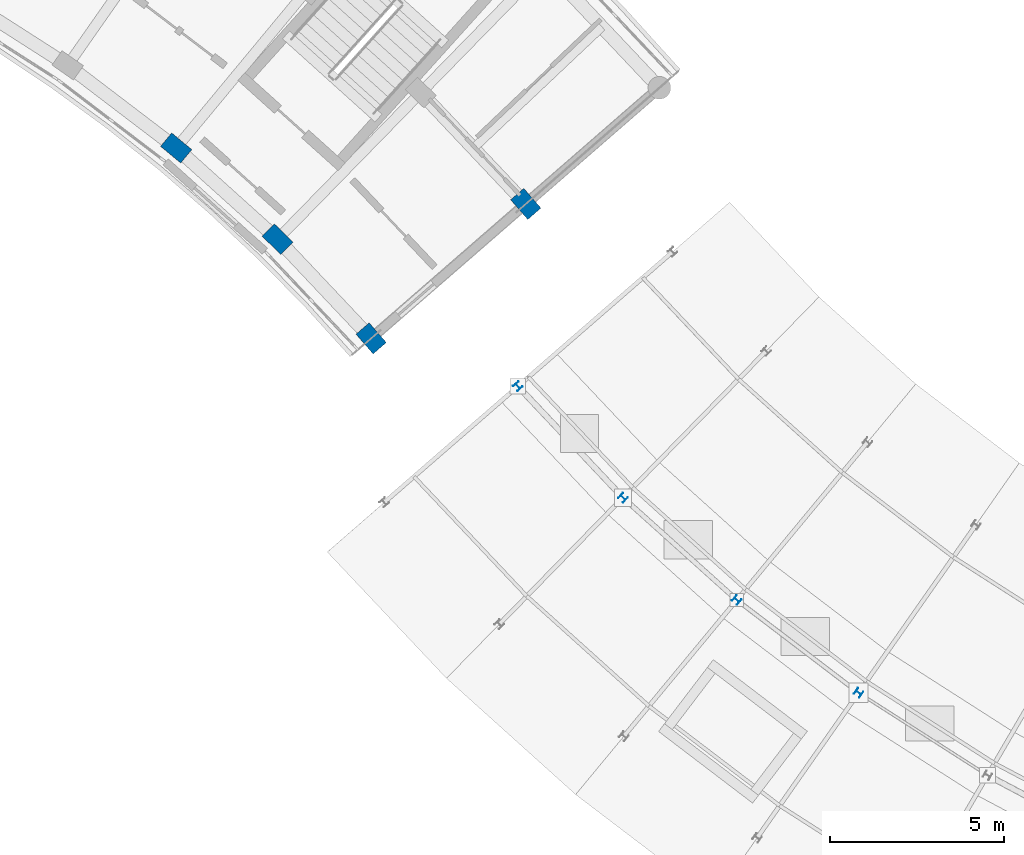
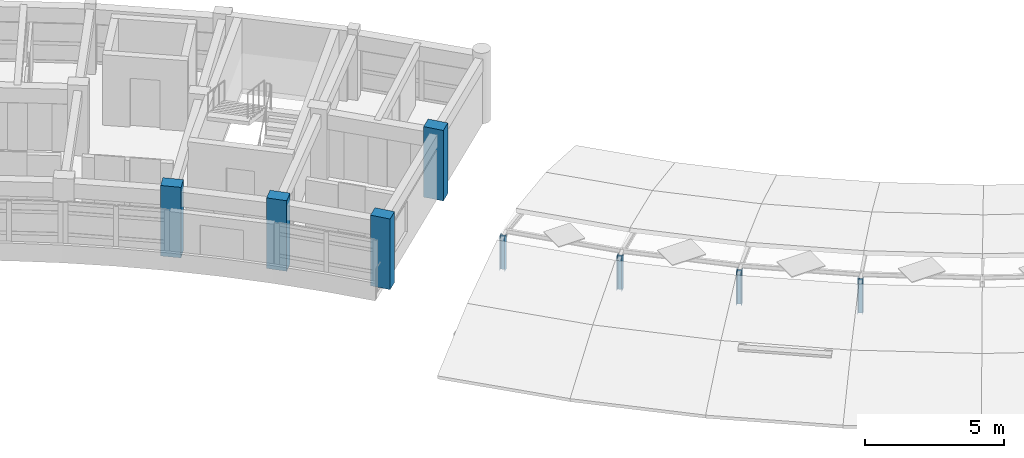
# One storey, part 2 of 40: 8 columns.
"""IFC4 building model written with IfcOpenShell, lengths in metres."""

import ifcopenshell
import ifcopenshell.guid

model = None  # the IFC model being written
_history = None  # IfcOwnerHistory: only IFC2X3 demands one
_inside = {}  # id of a spatial element -> (the spatial element, [elements in it])
_under = {}  # id of a project, library or spatial element -> (it, [spatial elements below it])
_declared = {}  # id of a project -> (the project, [libraries it declares])
_typed = {}  # id of a type object -> (the type object, [elements of that type])
_made_of = {}  # id of a material, layer set ... -> (it, [elements and type objects made of it])


def new_model(schema):
    """Start an empty IFC model of exactly this schema.

    Asked for "IFC4X3", IfcOpenShell would pick the latest addendum, in which some entities
    have other attributes; the version numbers below select the first issue.
    IFC2X3 requires an IfcOwnerHistory on every rooted entity: one is made here for all.
    """
    global model, _history
    if schema == "IFC4X3":
        model = ifcopenshell.file(schema_version=(4, 3, 0, 0))
    else:
        model = ifcopenshell.file(schema=schema)
    _inside.clear()
    _under.clear()
    _declared.clear()
    _typed.clear()
    _made_of.clear()
    _history = None
    if model.schema == "IFC2X3":
        org = make("IfcOrganization", Name="unknown")
        user = make(
            "IfcPersonAndOrganization",
            ThePerson=make("IfcPerson", FamilyName="unknown"),
            TheOrganization=org,
        )
        app = make(
            "IfcApplication",
            ApplicationDeveloper=org,
            Version="unknown",
            ApplicationFullName="unknown",
            ApplicationIdentifier="unknown",
        )
        _history = make(
            "IfcOwnerHistory",
            OwningUser=user,
            OwningApplication=app,
            ChangeAction="ADDED",
            CreationDate=0,
        )
    return model


def make(cls, **values):
    """One entity of the class cls with the attributes given. An attribute that is None is left unset."""
    return model.create_entity(
        cls, **{name: value for name, value in values.items() if value is not None}
    )


def rooted(cls, **values):
    """An entity with a GlobalId (a new one), such as an element, a storey or a relation."""
    return make(cls, GlobalId=ifcopenshell.guid.new(), OwnerHistory=_history, **values)


def si_unit(unit_type, name, prefix=None):
    """IfcSIUnit, for example si_unit("LENGTHUNIT", "METRE", prefix="MILLI")."""
    return make("IfcSIUnit", UnitType=unit_type, Prefix=prefix, Name=name)


def assignment(units):
    """IfcUnitAssignment: the units of a project."""
    return None if units is None else make("IfcUnitAssignment", Units=units)


def point(xyz):
    """IfcCartesianPoint."""
    return None if xyz is None else make("IfcCartesianPoint", Coordinates=xyz)


def direction(xyz):
    """IfcDirection."""
    return None if xyz is None else make("IfcDirection", DirectionRatios=xyz)


def frame(location, z_axis=None, x_axis=None):
    """IfcAxis2Placement3D, a coordinate frame: its origin and axes. An axis left out is left unset."""
    return make(
        "IfcAxis2Placement3D",
        Location=point(location),
        Axis=direction(z_axis),
        RefDirection=direction(x_axis),
    )


def frame_2d(location, x_axis=None):
    """IfcAxis2Placement2D, a coordinate frame in the plane: its origin and x axis."""
    return make(
        "IfcAxis2Placement2D", Location=point(location), RefDirection=direction(x_axis)
    )


def origin():
    """The frame at (0, 0, 0) with its axes left unset."""
    return frame((0.0, 0.0, 0.0))


def origin_2d():
    """The frame at (0, 0) in the plane with its x axis left unset."""
    return frame_2d((0.0, 0.0))


def place(relative_to, where):
    """IfcLocalPlacement: puts the frame where relative to a parent placement (None: the world)."""
    return make(
        "IfcLocalPlacement", PlacementRelTo=relative_to, RelativePlacement=where
    )


def context(
    kind, dimensions, precision=None, world=None, true_north=None, identifier=None
):
    """IfcGeometricRepresentationContext, for example the 3D "Model" context."""
    return make(
        "IfcGeometricRepresentationContext",
        ContextIdentifier=identifier,
        ContextType=kind,
        CoordinateSpaceDimension=dimensions,
        Precision=precision,
        WorldCoordinateSystem=world,
        TrueNorth=true_north,
    )


def subcontext(parent, identifier, kind, view, scale=None):
    """IfcGeometricRepresentationSubContext, for example "Body" below "Model"."""
    return make(
        "IfcGeometricRepresentationSubContext",
        ContextIdentifier=identifier,
        ContextType=kind,
        ParentContext=parent,
        TargetScale=scale,
        TargetView=view,
    )


def project(units=None, contexts=None):
    """IfcProject with its units and contexts."""
    return rooted(
        "IfcProject",
        Name="project",
        RepresentationContexts=contexts,
        UnitsInContext=assignment(units),
    )


def spatial(cls, under=None, at=None, **own):
    """A site, building, storey or space (cls), placed at a placement, below another one or the project."""
    s = rooted(cls, ObjectPlacement=at, **own)
    if under is not None:
        _under.setdefault(under.id(), (under, []))[1].append(s)
    return s


def profile(cls, at=None, kind="AREA", **sizes):
    """A parametric profile (cls). Its sizes go by their IFC names, for example OverallWidth=200.0."""
    return make(cls, ProfileType=kind, Position=at, **sizes)


def rectangle(**sizes):
    """IfcRectangleProfileDef."""
    return profile("IfcRectangleProfileDef", **sizes)


def i_section(**sizes):
    """IfcIShapeProfileDef."""
    return profile("IfcIShapeProfileDef", **sizes)


def extrude(swept, where, along, depth):
    """IfcExtrudedAreaSolid: the profile swept, set in the frame where, extruded along a direction by depth."""
    return make(
        "IfcExtrudedAreaSolid",
        SweptArea=swept,
        Position=where,
        ExtrudedDirection=direction(along),
        Depth=depth,
    )


def shape(context_of_items, identifier, shape_type, items):
    """IfcShapeRepresentation: the items that make up one representation, for example the "Body"."""
    return make(
        "IfcShapeRepresentation",
        ContextOfItems=context_of_items,
        RepresentationIdentifier=identifier,
        RepresentationType=shape_type,
        Items=items,
    )


def material(Name=None, Category=None):
    """IfcMaterial."""
    return make("IfcMaterial", Name=Name, Category=Category)


def material_profile(
    of_material, cross_section, Name=None, Category=None, Priority=None
):
    """IfcMaterialProfile: a cross section and its material."""
    return make(
        "IfcMaterialProfile",
        Name=Name,
        Material=of_material,
        Profile=cross_section,
        Priority=Priority,
        Category=Category,
    )


def profile_set(profiles, Name=None, composite=None):
    """IfcMaterialProfileSet."""
    return make(
        "IfcMaterialProfileSet",
        Name=Name,
        MaterialProfiles=profiles,
        CompositeProfile=composite,
    )


def made_of(thing, what):
    """Note that an element or type object is made of a material, layer set ...; save() writes the relation."""
    if what is not None:
        _made_of.setdefault(what.id(), (what, []))[1].append(thing)
    return thing


def type_object(cls, material=None, **own):
    """A type object (cls), such as IfcWallType, which elements share."""
    return made_of(rooted(cls, **own), material)


def element(
    cls,
    number,
    at=None,
    inside=None,
    cuts=None,
    type_object=None,
    material=None,
    context=None,
    identifier="Body",
    shape_type=None,
    held_by="IfcProductDefinitionShape",
    body=None,
    shapes=None,
    **own,
):
    """One element of the class cls, such as IfcWall. Its Tag is "e" and its number.

    at: its placement. inside: the storey or other place that contains it. cuts: it is an
    opening in that element (IfcRelVoidsElement). A single representation is given by context,
    identifier, shape_type and body (its items); several are given by shapes. held_by: the class
    of the entity that holds the representations. save() writes the other relations.
    """
    e = rooted(cls, Tag="e%d" % number, ObjectPlacement=at, **own)
    if body is not None:
        shapes = [shape(context, identifier, shape_type, body)]
    if shapes is not None:
        e.Representation = make(held_by, Representations=shapes)
    if inside is not None:
        _inside.setdefault(inside.id(), (inside, []))[1].append(e)
    if cuts is not None:
        rooted(
            "IfcRelVoidsElement", RelatingBuildingElement=cuts, RelatedOpeningElement=e
        )
    if type_object is not None:
        _typed.setdefault(type_object.id(), (type_object, []))[1].append(e)
    return made_of(e, material)


def aggregate(whole, parts):
    """IfcRelAggregates: a whole, such as a stair, and the parts it consists of."""
    return rooted("IfcRelAggregates", RelatingObject=whole, RelatedObjects=parts)


def save(model, path):
    """Write the relations noted so far, then the file.

    IfcRelAggregates (storeys below a building ...), IfcRelContainedInSpatialStructure (elements
    in a storey), IfcRelDefinesByType, IfcRelAssociatesMaterial and IfcRelDeclares: one each for
    every whole, place, type object, material and project.
    """
    for whole, parts in _under.values():
        aggregate(whole, parts)
    for where, things in _inside.values():
        rooted(
            "IfcRelContainedInSpatialStructure",
            RelatedElements=things,
            RelatingStructure=where,
        )
    for kind, things in _typed.values():
        rooted("IfcRelDefinesByType", RelatedObjects=things, RelatingType=kind)
    for what, things in _made_of.values():
        rooted("IfcRelAssociatesMaterial", RelatedObjects=things, RelatingMaterial=what)
    for by, libraries in _declared.values():
        rooted("IfcRelDeclares", RelatingContext=by, RelatedDefinitions=libraries)
    model.write(path)


model = new_model("IFC4")

# Units and contexts
model_context = context("Model", 3, precision=1e-05, world=origin(), true_north=direction((0.0, 1.0)))
body_context = subcontext(model_context, "Body", "Model", "MODEL_VIEW")
ifc_project = project(units=[si_unit("LENGTHUNIT", "METRE"), si_unit("AREAUNIT", "SQUARE_METRE"), si_unit("VOLUMEUNIT", "CUBIC_METRE"), si_unit("PLANEANGLEUNIT", "RADIAN"), si_unit("MASSUNIT", "GRAM", prefix="KILO")], contexts=[model_context])

# Site, building, storey
site_placement = place(None, origin())
site = spatial("IfcSite", under=ifc_project, at=site_placement, CompositionType="ELEMENT")
building_placement = place(site_placement, origin())
building = spatial("IfcBuilding", under=site, at=building_placement, Name="Zimvara Arc Housing Community", CompositionType="ELEMENT")
storey_placement = place(building_placement, frame((0.0, 0.0, 32.89990234375)))
storey = spatial("IfcBuildingStorey", under=building, at=storey_placement, Name="L10", CompositionType="ELEMENT", Elevation=32.89990234375)

# Columns
ifc_material_1 = material(Name="Concrete C40/50", Category="concrete")
ifc_material_profile_1 = material_profile(ifc_material_1, rectangle(XDim=0.5, YDim=0.75, at=origin_2d()), Name="RC 500x750")
ifc_profile_set_1 = profile_set([ifc_material_profile_1], Name="Concrete C40/50")
column_type_1 = type_object("IfcColumnType", Name="COL-RC-500x750", PredefinedType="COLUMN", material=ifc_profile_set_1)
for number, where, z_axis, x_axis, name in (
    (1, (75.571044921875, 81.401611328125, 0.0), (0.0, 0.0, 1.0), (0.637961754089, 0.770068049148, 0.0), "col:blkB:L10:b8:r1"),
    (2, (78.47998046875, 78.784423828125, 0.0), (0.0, 0.0, 1.0), (0.698665066769, 0.715448897181, 0.0), "col:blkB:L10:b9:r1"),
    (3, (81.165771484375, 75.938232421875, 0.0), (0.0, 0.0, 1.0), (0.754709580223, 0.656059028991, 0.0), "col:blkB:L10:b10:r1"),
    (4, (85.603271484375, 79.7958984375, 0.0), (0.0, 0.0, 1.0), (0.754709580223, 0.656059028991, 0.0), "col:blkB:L10:b10:r2"),
):
    element("IfcColumn", number, at=place(storey_placement, frame(where, z_axis=z_axis, x_axis=x_axis)), inside=storey, type_object=column_type_1, Name=name, PredefinedType="COLUMN", context=body_context, shape_type="SweptSolid", body=[
        extrude(rectangle(XDim=0.5, YDim=0.75, at=origin_2d()), origin(), (0.0, 0.0, 1.0), 3.10009765625),
    ])
ifc_material_2 = material(Name="Steel S355", Category="steel")
ifc_material_profile_2 = material_profile(ifc_material_2, i_section(OverallWidth=0.199951171875, OverallDepth=0.199951171875, WebThickness=0.009033203125, FlangeThickness=0.014892578125, FilletRadius=0.01806640625, at=origin_2d()), Name="HEB 200")
ifc_profile_set_2 = profile_set([ifc_material_profile_2], Name="Steel S355")
column_type_2 = type_object("IfcColumnType", Name="COL-ST-HEB200", PredefinedType="COLUMN", material=ifc_profile_set_2)
for number, where, z_axis, x_axis, name in (
    (5, (85.376708984375, 74.56396484375, 0.0), (0.0, 0.0, 1.0), (-0.754709580223, -0.656059028991, 0.0), "col:blkC:L10:ribpost2:g0"),
    (6, (88.391845703125, 71.368896484375, 0.0), (0.0, 0.0, 1.0), (-0.698665066769, -0.715448897181, 0.0), "col:blkC:L10:ribpost2:g1"),
    (7, (91.65771484375, 68.430419921875, 0.0), (0.0, 0.0, 1.0), (-0.637961754089, -0.770068049148, 0.0), "col:blkC:L10:ribpost2:g2"),
    (8, (95.15234375, 65.76806640625, 0.0), (0.0, 0.0, 1.0), (-0.573004420611, -0.819552276527, 0.0), "col:blkC:L10:ribpost2:g3"),
):
    element("IfcColumn", number, at=place(storey_placement, frame(where, z_axis=z_axis, x_axis=x_axis)), inside=storey, type_object=column_type_2, Name=name, PredefinedType="COLUMN", context=body_context, shape_type="SweptSolid", body=[
        extrude(i_section(OverallWidth=0.199951171875, OverallDepth=0.199951171875, WebThickness=0.009033203125, FlangeThickness=0.014892578125, FilletRadius=0.01806640625, at=origin_2d()), origin(), (0.0, 0.0, 1.0), 1.51513671875),
    ])

save(model, "model.ifc")
